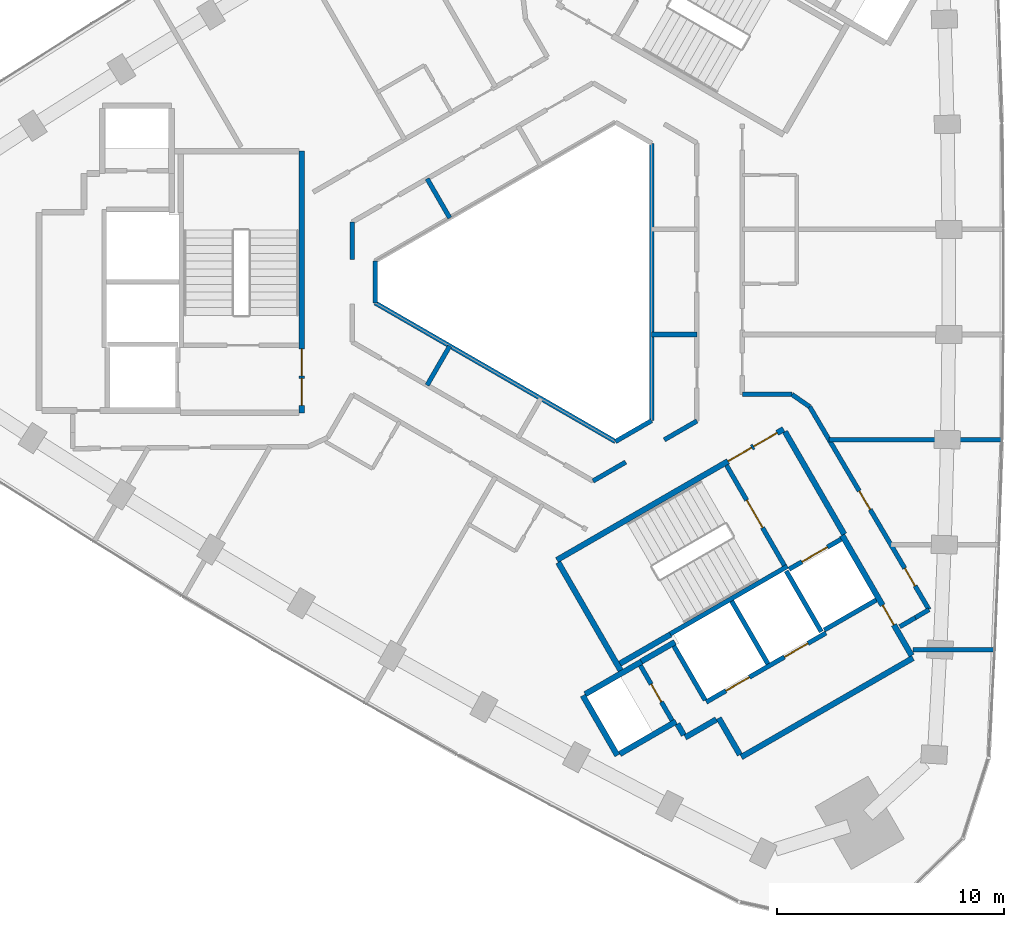
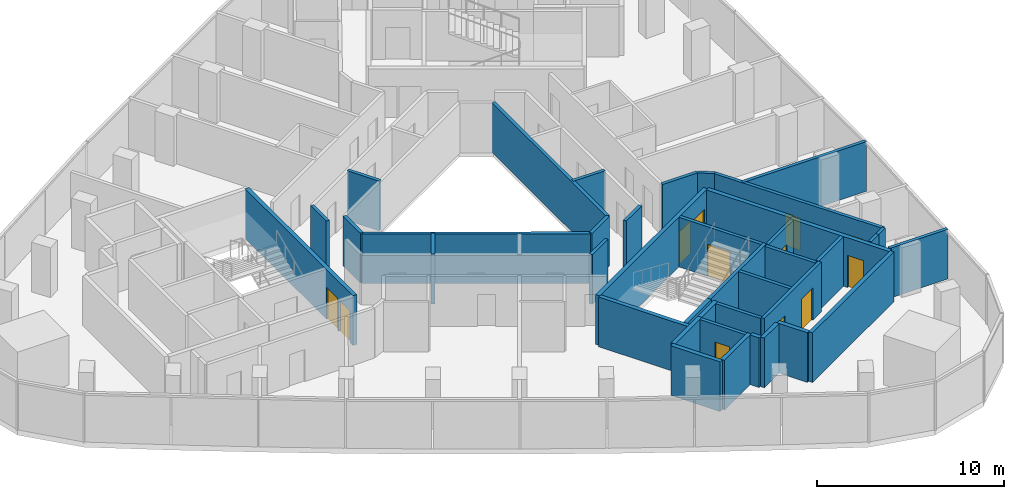
# One storey, part 8 of 12: 40 walls, 12 doors, 12 openings.
"""IFC4 building model written with IfcOpenShell, lengths in metres."""

from ifc_helpers import new_model, si_unit, direction, frame, frame_2d, origin, place, context, subcontext, project, spatial, rectangle, extrude, material, layer, layer_set, type_object, element, fill, save


model = new_model("IFC4")

# Units and contexts
model_context = context("Model", 3, precision=1e-05, world=origin(), true_north=direction((0.0, 1.0)))
body_context = subcontext(model_context, "Body", "Model", "MODEL_VIEW")
ifc_project = project(units=[si_unit("LENGTHUNIT", "METRE"), si_unit("AREAUNIT", "SQUARE_METRE"), si_unit("VOLUMEUNIT", "CUBIC_METRE"), si_unit("PLANEANGLEUNIT", "RADIAN"), si_unit("MASSUNIT", "GRAM", prefix="KILO")], contexts=[model_context])

# Site, building, storey
site_placement = place(None, origin())
site = spatial("IfcSite", under=ifc_project, at=site_placement, CompositionType="ELEMENT")
building_placement = place(site_placement, origin())
building = spatial("IfcBuilding", under=site, at=building_placement, Name="Tamra Quay Hotel Tower", CompositionType="ELEMENT")
storey_placement = place(building_placement, frame((0.0, 0.0, 200.800048828125)))
storey = spatial("IfcBuildingStorey", under=building, at=storey_placement, Name="L50", CompositionType="ELEMENT", Elevation=200.800048828125)

# Wall
ifc_material_1 = material(Name="Concrete M70", Category="concrete")
ifc_layer_1 = layer(ifc_material_1, 0.199951171875)
ifc_layer_set_1 = layer_set([ifc_layer_1], Name="Concrete M70 core wall 200")
wall_type_1 = type_object("IfcWallType", Name="Concrete M70 core wall 200", PredefinedType="SHEAR", material=ifc_layer_set_1)
wall_1_placement = place(storey_placement, frame((5.4189453125, -15.533935546875, 0.0), z_axis=(0.0, 0.0, 1.0), x_axis=(0.866029065029, 0.499993658486, 0.0)))
element("IfcWall", 1, at=wall_1_placement, inside=storey, type_object=wall_type_1, Name="CW2", PredefinedType="SHEAR", context=body_context, shape_type="SweptSolid", body=[
    extrude(rectangle(XDim=5.97412109375, YDim=0.199951171875, at=frame_2d((2.987060546875, 0.0))), origin(), (0.0, 0.0, 1.0), 3.25),
])

# Wall, openings, doors
wall_2_placement = place(storey_placement, frame((7.009765625, -18.54150390625, 0.0), z_axis=(0.0, 0.0, 1.0), x_axis=(0.866030299012, 0.499991521122, 0.0)))
wall_2 = element("IfcWall", 2, at=wall_2_placement, inside=storey, type_object=wall_type_1, Name="CW2", PredefinedType="SHEAR", context=body_context, shape_type="SweptSolid", body=[
    extrude(rectangle(XDim=6.10009765625, YDim=0.199951171875, at=frame_2d((3.050048828125, 0.0))), origin(), (0.0, 0.0, 1.0), 3.25),
])
opening_1_placement = place(wall_2_placement, frame((1.0, 0.0, 0.0)))
opening_1 = element("IfcOpeningElement", 3, at=opening_1_placement, cuts=wall_2, Name="Opening LD", PredefinedType="OPENING", context=body_context, shape_type="SweptSolid", body=[
    extrude(rectangle(XDim=1.199951171875, YDim=2.10009765625, at=frame_2d((0.60009765625, 1.050048828125))), frame((0.0, 0.10986328125, 0.0), z_axis=(0.0, -1.0, 0.0), x_axis=(1.0, 0.0, 0.0)), (0.0, 0.0, 1.0), 0.219970703125),
])
opening_2_placement = place(wall_2_placement, frame((3.982177734375, 0.0, 0.0)))
opening_2 = element("IfcOpeningElement", 4, at=opening_2_placement, cuts=wall_2, Name="Opening LD", PredefinedType="OPENING", context=body_context, shape_type="SweptSolid", body=[
    extrude(rectangle(XDim=1.199951171875, YDim=2.10009765625, at=frame_2d((0.60009765625, 1.050048828125))), frame((0.0, 0.10986328125, 0.0), z_axis=(0.0, -1.0, 0.0), x_axis=(1.0, 0.0, 0.0)), (0.0, 0.0, 1.0), 0.219970703125),
])
ifc_material_2 = material(Name="Landing door LD 1200 double door sliding")
door_type_1 = type_object("IfcDoorType", Name="Landing door LD 1200 double door sliding", OperationType="DOUBLE_DOOR_SLIDING", PredefinedType="DOOR", material=ifc_material_2)
door_1_placement = place(opening_1_placement, origin())
door_1 = element("IfcDoor", 5, at=door_1_placement, inside=storey, type_object=door_type_1, Name="LD", OperationType="DOUBLE_DOOR_SLIDING", OverallHeight=2.10009765625, OverallWidth=1.199951171875, PredefinedType="DOOR", context=body_context, shape_type="SweptSolid", body=[
    extrude(rectangle(XDim=1.199951171875, YDim=2.10009765625, at=frame_2d((0.60009765625, 1.050048828125))), frame((0.0, 0.02490234375, 0.0), z_axis=(0.0, -1.0, 0.0), x_axis=(1.0, 0.0, 0.0)), (0.0, 0.0, 1.0), 0.050048828125),
])
fill(opening_1, door_1)
door_2_placement = place(opening_2_placement, origin())
door_2 = element("IfcDoor", 6, at=door_2_placement, inside=storey, type_object=door_type_1, Name="LD", OperationType="DOUBLE_DOOR_SLIDING", OverallHeight=2.10009765625, OverallWidth=1.199951171875, PredefinedType="DOOR", context=body_context, shape_type="SweptSolid", body=[
    extrude(rectangle(XDim=1.199951171875, YDim=2.10009765625, at=frame_2d((0.60009765625, 1.050048828125))), frame((0.0, 0.02490234375, 0.0), z_axis=(0.0, -1.0, 0.0), x_axis=(1.0, 0.0, 0.0)), (0.0, 0.0, 1.0), 0.050048828125),
])
fill(opening_2, door_2)

# Wall, opening, door
wall_3_placement = place(storey_placement, frame((7.906494140625, -8.094482421875, 0.0), z_axis=(0.0, 0.0, 1.0), x_axis=(0.500027839223, -0.866009330205, 0.0)))
wall_3 = element("IfcWall", 7, at=wall_3_placement, inside=storey, type_object=wall_type_1, Name="CW2", PredefinedType="SHEAR", context=body_context, shape_type="SweptSolid", body=[
    extrude(rectangle(XDim=5.097900390625, YDim=0.199951171875, at=frame_2d((2.548828125, 0.0))), origin(), (0.0, 0.0, 1.0), 3.25),
])
opening_3_placement = place(wall_3_placement, frame((1.77392578125, 0.0, 0.0)))
opening_3 = element("IfcOpeningElement", 8, at=opening_3_placement, cuts=wall_3, Name="Opening FD2", PredefinedType="OPENING", context=body_context, shape_type="SweptSolid", body=[
    extrude(rectangle(XDim=1.39990234375, YDim=2.10009765625, at=frame_2d((0.699951171875, 1.050048828125))), frame((0.0, 0.10986328125, 0.0), z_axis=(0.0, -1.0, 0.0), x_axis=(1.0, 0.0, 0.0)), (0.0, 0.0, 1.0), 0.219970703125),
])
ifc_material_3 = material(Name="Core door FD2 1400x2100 LH")
door_type_2 = type_object("IfcDoorType", Name="Core door FD2 1400x2100 LH", OperationType="NOTDEFINED", PredefinedType="DOOR", material=ifc_material_3)
door_3_placement = place(opening_3_placement, origin())
door_3 = element("IfcDoor", 9, at=door_3_placement, inside=storey, type_object=door_type_2, Name="FD2", OperationType="SINGLE_SWING_LEFT", OverallHeight=2.10009765625, OverallWidth=1.39990234375, PredefinedType="DOOR", context=body_context, shape_type="SweptSolid", body=[
    extrude(rectangle(XDim=1.39990234375, YDim=2.10009765625, at=frame_2d((0.699951171875, 1.050048828125))), frame((0.0, 0.02490234375, 0.0), z_axis=(0.0, -1.0, 0.0), x_axis=(1.0, 0.0, 0.0)), (0.0, 0.0, 1.0), 0.050048828125),
])
fill(opening_3, door_3)

# Wall
wall_4_placement = place(storey_placement, frame((8.131591796875, -14.084228515625, 0.0), z_axis=(0.0, 0.0, 1.0), x_axis=(0.499997778408, -0.866026686418, 0.0)))
element("IfcWall", 10, at=wall_4_placement, inside=storey, type_object=wall_type_1, Name="CW2", PredefinedType="SHEAR", context=body_context, shape_type="SweptSolid", body=[
    extrude(rectangle(XDim=3.1982421875, YDim=0.199951171875, at=frame_2d((1.59912109375, 0.0))), origin(), (0.0, 0.0, 1.0), 3.25),
])

# Wall, opening, door
wall_5_placement = place(storey_placement, frame((5.50341796875, -19.352294921875, 0.0), z_axis=(0.0, 0.0, 1.0), x_axis=(-0.499986818241, 0.866033014143, 0.0)))
wall_5 = element("IfcWall", 11, at=wall_5_placement, inside=storey, type_object=wall_type_1, Name="CW2", PredefinedType="SHEAR", context=body_context, shape_type="SweptSolid", body=[
    extrude(rectangle(XDim=2.7978515625, YDim=0.199951171875, at=frame_2d((1.39892578125, 0.0))), origin(), (0.0, 0.0, 1.0), 3.25),
])
opening_4_placement = place(wall_5_placement, frame((0.948974609375, 0.0, 0.0)))
opening_4 = element("IfcOpeningElement", 12, at=opening_4_placement, cuts=wall_5, Name="Opening D1", PredefinedType="OPENING", context=body_context, shape_type="SweptSolid", body=[
    extrude(rectangle(XDim=0.89990234375, YDim=2.10009765625, at=frame_2d((0.449951171875, 1.050048828125))), frame((0.0, 0.10986328125, 0.0), z_axis=(0.0, -1.0, 0.0), x_axis=(1.0, 0.0, 0.0)), (0.0, 0.0, 1.0), 0.219970703125),
])
ifc_material_4 = material(Name="Core door D1 900x2100 RH")
door_type_3 = type_object("IfcDoorType", Name="Core door D1 900x2100 RH", OperationType="NOTDEFINED", PredefinedType="DOOR", material=ifc_material_4)
door_4_placement = place(opening_4_placement, origin())
door_4 = element("IfcDoor", 13, at=door_4_placement, inside=storey, type_object=door_type_3, Name="D1", OperationType="SINGLE_SWING_RIGHT", OverallHeight=2.10009765625, OverallWidth=0.89990234375, PredefinedType="DOOR", context=body_context, shape_type="SweptSolid", body=[
    extrude(rectangle(XDim=0.89990234375, YDim=2.10009765625, at=frame_2d((0.449951171875, 1.050048828125))), frame((0.0, 0.02490234375, 0.0), z_axis=(0.0, -1.0, 0.0), x_axis=(1.0, 0.0, 0.0)), (0.0, 0.0, 1.0), 0.050048828125),
])
fill(opening_4, door_4)

# Walls
wall_6_placement = place(storey_placement, frame((6.959716796875, -18.455078125, 0.0), z_axis=(0.0, 0.0, 1.0), x_axis=(-0.499926705758, 0.866067716099, 0.0)))
element("IfcWall", 14, at=wall_6_placement, inside=storey, type_object=wall_type_1, Name="CW2", PredefinedType="SHEAR", context=body_context, shape_type="SweptSolid", body=[
    extrude(rectangle(XDim=2.75927734375, YDim=0.199951171875, at=frame_2d((1.379638671875, 0.0))), origin(), (0.0, 0.0, 1.0), 3.25),
])
wall_7_placement = place(storey_placement, frame((12.087646484375, -15.4365234375, 0.0), z_axis=(0.0, 0.0, 1.0), x_axis=(-0.500026960575, 0.86600983753, 0.0)))
element("IfcWall", 15, at=wall_7_placement, inside=storey, type_object=wall_type_1, Name="CW2", PredefinedType="SHEAR", context=body_context, shape_type="SweptSolid", body=[
    extrude(rectangle(XDim=3.099853515625, YDim=0.199951171875, at=frame_2d((1.5498046875, 0.0))), origin(), (0.0, 0.0, 1.0), 3.25),
])

# Wall, opening, door
wall_8_placement = place(storey_placement, frame((10.666015625, -12.677734375, 0.0), z_axis=(0.0, 0.0, 1.0), x_axis=(0.866018407898, 0.500012117035, 0.0)))
wall_8 = element("IfcWall", 16, at=wall_8_placement, inside=storey, type_object=wall_type_1, Name="CW2", PredefinedType="SHEAR", context=body_context, shape_type="SweptSolid", body=[
    extrude(rectangle(XDim=2.65087890625, YDim=0.199951171875, at=frame_2d((1.325439453125, 0.0))), origin(), (0.0, 0.0, 1.0), 3.25),
])
opening_5_placement = place(wall_8_placement, frame((0.65185546875, 0.0, 0.0)))
opening_5 = element("IfcOpeningElement", 17, at=opening_5_placement, cuts=wall_8, Name="Opening LD", PredefinedType="OPENING", context=body_context, shape_type="SweptSolid", body=[
    extrude(rectangle(XDim=1.300048828125, YDim=2.10009765625, at=frame_2d((0.64990234375, 1.050048828125))), frame((0.0, 0.10986328125, 0.0), z_axis=(0.0, -1.0, 0.0), x_axis=(1.0, 0.0, 0.0)), (0.0, 0.0, 1.0), 0.219970703125),
])
ifc_material_5 = material(Name="Landing door LD 1300 sliding to left")
door_type_4 = type_object("IfcDoorType", Name="Landing door LD 1300 sliding to left", OperationType="NOTDEFINED", PredefinedType="DOOR", material=ifc_material_5)
door_5_placement = place(opening_5_placement, origin())
door_5 = element("IfcDoor", 18, at=door_5_placement, inside=storey, type_object=door_type_4, Name="LD", OperationType="SLIDING_TO_LEFT", OverallHeight=2.10009765625, OverallWidth=1.300048828125, PredefinedType="DOOR", context=body_context, shape_type="SweptSolid", body=[
    extrude(rectangle(XDim=1.300048828125, YDim=2.10009765625, at=frame_2d((0.64990234375, 1.050048828125))), frame((0.0, 0.02490234375, 0.0), z_axis=(0.0, -1.0, 0.0), x_axis=(1.0, 0.0, 0.0)), (0.0, 0.0, 1.0), 0.050048828125),
])
fill(opening_5, door_5)

# Wall
wall_9_placement = place(storey_placement, frame((14.51171875, -14.037109375, 0.0), z_axis=(0.0, 0.0, 1.0), x_axis=(-0.866018407898, -0.500012117035, 0.0)))
element("IfcWall", 19, at=wall_9_placement, inside=storey, type_object=wall_type_1, Name="CW2", PredefinedType="SHEAR", context=body_context, shape_type="SweptSolid", body=[
    extrude(rectangle(XDim=2.65087890625, YDim=0.199951171875, at=frame_2d((1.325439453125, 0.0))), origin(), (0.0, 0.0, 1.0), 3.25),
])

# Wall, openings, doors
ifc_layer_2 = layer(ifc_material_1, 0.25)
ifc_layer_set_2 = layer_set([ifc_layer_2], Name="Concrete M70 core wall 250")
wall_type_2 = type_object("IfcWallType", Name="Concrete M70 core wall 250", PredefinedType="SHEAR", material=ifc_layer_set_2)
wall_10_placement = place(storey_placement, frame((-10.83740234375, 5.77490234375, 0.0), z_axis=(0.0, 0.0, 1.0), x_axis=(0.0, -1.0, 0.0)))
wall_10 = element("IfcWall", 20, at=wall_10_placement, inside=storey, type_object=wall_type_2, Name="CW1", PredefinedType="SHEAR", context=body_context, shape_type="SweptSolid", body=[
    extrude(rectangle(XDim=11.5498046875, YDim=0.25, at=frame_2d((5.77490234375, 0.0))), origin(), (0.0, 0.0, 1.0), 3.25),
])
opening_6_placement = place(wall_10_placement, frame((10.02490234375, 0.0, 0.0)))
opening_6 = element("IfcOpeningElement", 21, at=opening_6_placement, cuts=wall_10, Name="Opening FD1", PredefinedType="OPENING", context=body_context, shape_type="SweptSolid", body=[
    extrude(rectangle(XDim=1.199951171875, YDim=2.10009765625, at=frame_2d((0.60009765625, 1.050048828125))), frame((0.0, 0.135009765625, 0.0), z_axis=(0.0, -1.0, 0.0), x_axis=(1.0, 0.0, 0.0)), (0.0, 0.0, 1.0), 0.27001953125),
])
opening_7_placement = place(wall_10_placement, frame((8.72509765625, 0.0, 0.0)))
opening_7 = element("IfcOpeningElement", 22, at=opening_7_placement, cuts=wall_10, Name="Opening FD1", PredefinedType="OPENING", context=body_context, shape_type="SweptSolid", body=[
    extrude(rectangle(XDim=1.199951171875, YDim=2.10009765625, at=frame_2d((0.60009765625, 1.050048828125))), frame((0.0, 0.135009765625, 0.0), z_axis=(0.0, -1.0, 0.0), x_axis=(1.0, 0.0, 0.0)), (0.0, 0.0, 1.0), 0.27001953125),
])
ifc_material_6 = material(Name="Core door FD1 1200x2100 LH")
door_type_5 = type_object("IfcDoorType", Name="Core door FD1 1200x2100 LH", OperationType="NOTDEFINED", PredefinedType="DOOR", material=ifc_material_6)
door_6_placement = place(opening_6_placement, origin())
door_6 = element("IfcDoor", 23, at=door_6_placement, inside=storey, type_object=door_type_5, Name="FD1", OperationType="SINGLE_SWING_LEFT", OverallHeight=2.10009765625, OverallWidth=1.199951171875, PredefinedType="DOOR", context=body_context, shape_type="SweptSolid", body=[
    extrude(rectangle(XDim=1.199951171875, YDim=2.10009765625, at=frame_2d((0.60009765625, 1.050048828125))), frame((0.0, 0.02490234375, 0.0), z_axis=(0.0, -1.0, 0.0), x_axis=(1.0, 0.0, 0.0)), (0.0, 0.0, 1.0), 0.050048828125),
])
fill(opening_6, door_6)
ifc_material_7 = material(Name="Core door FD1 1200x2100 RH")
door_type_6 = type_object("IfcDoorType", Name="Core door FD1 1200x2100 RH", OperationType="NOTDEFINED", PredefinedType="DOOR", material=ifc_material_7)
door_7_placement = place(opening_7_placement, origin())
door_7 = element("IfcDoor", 24, at=door_7_placement, inside=storey, type_object=door_type_6, Name="FD1", OperationType="SINGLE_SWING_RIGHT", OverallHeight=2.10009765625, OverallWidth=1.199951171875, PredefinedType="DOOR", context=body_context, shape_type="SweptSolid", body=[
    extrude(rectangle(XDim=1.199951171875, YDim=2.10009765625, at=frame_2d((0.60009765625, 1.050048828125))), frame((0.0, 0.02490234375, 0.0), z_axis=(0.0, -1.0, 0.0), x_axis=(1.0, 0.0, 0.0)), (0.0, 0.0, 1.0), 0.050048828125),
])
fill(opening_7, door_7)

wall_11_placement = place(storey_placement, frame((0.417236328125, -12.27294921875, 0.0), z_axis=(0.0, 0.0, 1.0), x_axis=(0.866021906294, 0.500006057782, 0.0)))
wall_11 = element("IfcWall", 25, at=wall_11_placement, inside=storey, type_object=wall_type_2, Name="CW1", PredefinedType="SHEAR", context=body_context, shape_type="SweptSolid", body=[
    extrude(rectangle(XDim=11.550048828125, YDim=0.25, at=frame_2d((5.77490234375, 0.0))), origin(), (0.0, 0.0, 1.0), 3.25),
])
opening_8_placement = place(wall_11_placement, frame((10.024658203125, 0.0, 0.0)))
opening_8 = element("IfcOpeningElement", 26, at=opening_8_placement, cuts=wall_11, Name="Opening FD1", PredefinedType="OPENING", context=body_context, shape_type="SweptSolid", body=[
    extrude(rectangle(XDim=1.199951171875, YDim=2.10009765625, at=frame_2d((0.60009765625, 1.050048828125))), frame((0.0, 0.135009765625, 0.0), z_axis=(0.0, -1.0, 0.0), x_axis=(1.0, 0.0, 0.0)), (0.0, 0.0, 1.0), 0.27001953125),
])
opening_9_placement = place(wall_11_placement, frame((8.724609375, 0.0, 0.0)))
opening_9 = element("IfcOpeningElement", 27, at=opening_9_placement, cuts=wall_11, Name="Opening FD1", PredefinedType="OPENING", context=body_context, shape_type="SweptSolid", body=[
    extrude(rectangle(XDim=1.199951171875, YDim=2.10009765625, at=frame_2d((0.60009765625, 1.050048828125))), frame((0.0, 0.135009765625, 0.0), z_axis=(0.0, -1.0, 0.0), x_axis=(1.0, 0.0, 0.0)), (0.0, 0.0, 1.0), 0.27001953125),
])
door_8_placement = place(opening_8_placement, origin())
door_8 = element("IfcDoor", 28, at=door_8_placement, inside=storey, type_object=door_type_5, Name="FD1", OperationType="SINGLE_SWING_LEFT", OverallHeight=2.10009765625, OverallWidth=1.199951171875, PredefinedType="DOOR", context=body_context, shape_type="SweptSolid", body=[
    extrude(rectangle(XDim=1.199951171875, YDim=2.10009765625, at=frame_2d((0.60009765625, 1.050048828125))), frame((0.0, 0.02490234375, 0.0), z_axis=(0.0, -1.0, 0.0), x_axis=(1.0, 0.0, 0.0)), (0.0, 0.0, 1.0), 0.050048828125),
])
fill(opening_8, door_8)
door_9_placement = place(opening_9_placement, origin())
door_9 = element("IfcDoor", 29, at=door_9_placement, inside=storey, type_object=door_type_6, Name="FD1", OperationType="SINGLE_SWING_RIGHT", OverallHeight=2.10009765625, OverallWidth=1.199951171875, PredefinedType="DOOR", context=body_context, shape_type="SweptSolid", body=[
    extrude(rectangle(XDim=1.199951171875, YDim=2.10009765625, at=frame_2d((0.60009765625, 1.050048828125))), frame((0.0, 0.02490234375, 0.0), z_axis=(0.0, -1.0, 0.0), x_axis=(1.0, 0.0, 0.0)), (0.0, 0.0, 1.0), 0.050048828125),
])
fill(opening_9, door_9)

# Wall
wall_12_placement = place(storey_placement, frame((16.13330078125, -16.59375, 0.0), z_axis=(0.0, 0.0, 1.0), x_axis=(-0.866022959057, -0.500004234368, 0.0)))
element("IfcWall", 30, at=wall_12_placement, inside=storey, type_object=wall_type_2, Name="CW1", PredefinedType="SHEAR", context=body_context, shape_type="SweptSolid", body=[
    extrude(rectangle(XDim=8.75, YDim=0.25, at=frame_2d((4.375, 0.0))), origin(), (0.0, 0.0, 1.0), 3.25),
])

# Wall, opening, door
wall_13_placement = place(storey_placement, frame((13.00830078125, -11.18115234375, 0.0), z_axis=(0.0, 0.0, 1.0), x_axis=(0.500001955336, -0.866024274868, 0.0)))
wall_13 = element("IfcWall", 31, at=wall_13_placement, inside=storey, type_object=wall_type_2, Name="CW1", PredefinedType="SHEAR", context=body_context, shape_type="SweptSolid", body=[
    extrude(rectangle(XDim=6.12451171875, YDim=0.25, at=frame_2d((3.062255859375, 0.0))), origin(), (0.0, 0.0, 1.0), 3.25),
])
opening_10_placement = place(wall_13_placement, frame((3.562744140625, 0.0, 0.0)))
opening_10 = element("IfcOpeningElement", 32, at=opening_10_placement, cuts=wall_13, Name="Opening FD3", PredefinedType="OPENING", context=body_context, shape_type="SweptSolid", body=[
    extrude(rectangle(XDim=1.0, YDim=2.10009765625, at=frame_2d((0.5, 1.050048828125))), frame((0.0, 0.135009765625, 0.0), z_axis=(0.0, -1.0, 0.0), x_axis=(1.0, 0.0, 0.0)), (0.0, 0.0, 1.0), 0.27001953125),
])
ifc_material_8 = material(Name="Core door FD3 1000x2100 LH")
door_type_7 = type_object("IfcDoorType", Name="Core door FD3 1000x2100 LH", OperationType="NOTDEFINED", PredefinedType="DOOR", material=ifc_material_8)
door_10_placement = place(opening_10_placement, origin())
door_10 = element("IfcDoor", 33, at=door_10_placement, inside=storey, type_object=door_type_7, Name="FD3", OperationType="SINGLE_SWING_LEFT", OverallHeight=2.10009765625, OverallWidth=1.0, PredefinedType="DOOR", context=body_context, shape_type="SweptSolid", body=[
    extrude(rectangle(XDim=1.0, YDim=2.10009765625, at=frame_2d((0.5, 1.050048828125))), frame((0.0, 0.02490234375, 0.0), z_axis=(0.0, -1.0, 0.0), x_axis=(1.0, 0.0, 0.0)), (0.0, 0.0, 1.0), 0.050048828125),
])
fill(opening_10, door_10)

# Walls
wall_14_placement = place(storey_placement, frame((3.23486328125, -17.15283203125, 0.0), z_axis=(0.0, 0.0, 1.0), x_axis=(-0.500008851346, 0.866020293397, 0.0)))
element("IfcWall", 34, at=wall_14_placement, inside=storey, type_object=wall_type_2, Name="CW1", PredefinedType="SHEAR", context=body_context, shape_type="SweptSolid", body=[
    extrude(rectangle(XDim=5.509765625, YDim=0.25, at=frame_2d((2.7548828125, 0.0))), origin(), (0.0, 0.0, 1.0), 3.25),
])
wall_15_placement = place(storey_placement, frame((10.482666015625, -6.6064453125, 0.0), z_axis=(0.0, 0.0, 1.0), x_axis=(0.49999885962, -0.866026062182, 0.0)))
element("IfcWall", 35, at=wall_15_placement, inside=storey, type_object=wall_type_2, Name="CW1", PredefinedType="SHEAR", context=body_context, shape_type="SweptSolid", body=[
    extrude(rectangle(XDim=5.224609375, YDim=0.25, at=frame_2d((2.6123046875, 0.0))), origin(), (0.0, 0.0, 1.0), 3.25),
])
wall_16_placement = place(storey_placement, frame((3.085205078125, -20.893798828125, 0.0), z_axis=(0.0, 0.0, 1.0), x_axis=(-0.499978833458, 0.866037623948, 0.0)))
element("IfcWall", 36, at=wall_16_placement, inside=storey, type_object=wall_type_2, Name="CW1", PredefinedType="SHEAR", context=body_context, shape_type="SweptSolid", body=[
    extrude(rectangle(XDim=3.050048828125, YDim=0.25, at=frame_2d((1.52490234375, 0.0))), origin(), (0.0, 0.0, 1.0), 3.25),
])
wall_17_placement = place(storey_placement, frame((1.6689453125, -18.189697265625, 0.0), z_axis=(0.0, 0.0, 1.0), x_axis=(0.866042235819, 0.499970844928, 0.0)))
element("IfcWall", 37, at=wall_17_placement, inside=storey, type_object=wall_type_2, Name="CW1", PredefinedType="SHEAR", context=body_context, shape_type="SweptSolid", body=[
    extrude(rectangle(XDim=2.864501953125, YDim=0.25, at=frame_2d((1.43212890625, 0.0))), origin(), (0.0, 0.0, 1.0), 3.25),
])
wall_18_placement = place(storey_placement, frame((5.6748046875, -19.39892578125, 0.0), z_axis=(0.0, 0.0, 1.0), x_axis=(-0.866026637627, -0.499997862916, 0.0)))
element("IfcWall", 38, at=wall_18_placement, inside=storey, type_object=wall_type_2, Name="CW1", PredefinedType="SHEAR", context=body_context, shape_type="SweptSolid", body=[
    extrude(rectangle(XDim=2.86474609375, YDim=0.25, at=frame_2d((1.432373046875, 0.0))), origin(), (0.0, 0.0, 1.0), 3.25),
])
wall_19_placement = place(storey_placement, frame((5.4306640625, -15.55615234375, 0.0), z_axis=(0.0, 0.0, 1.0), x_axis=(-0.866022940537, -0.500004266446, 0.0)))
element("IfcWall", 39, at=wall_19_placement, inside=storey, type_object=wall_type_2, Name="CW1", PredefinedType="SHEAR", context=body_context, shape_type="SweptSolid", body=[
    extrude(rectangle(XDim=2.57470703125, YDim=0.25, at=frame_2d((1.287353515625, 0.0))), origin(), (0.0, 0.0, 1.0), 3.25),
])
wall_20_placement = place(storey_placement, frame((8.492919921875, -20.860107421875, 0.0), z_axis=(0.0, 0.0, 1.0), x_axis=(-0.500039802285, 0.866002422705, 0.0)))
element("IfcWall", 40, at=wall_20_placement, inside=storey, type_object=wall_type_2, Name="CW1", PredefinedType="SHEAR", context=body_context, shape_type="SweptSolid", body=[
    extrude(rectangle(XDim=1.864501953125, YDim=0.25, at=frame_2d((0.93212890625, 0.0))), origin(), (0.0, 0.0, 1.0), 3.25),
])
wall_21_placement = place(storey_placement, frame((4.144775390625, -16.748779296875, 0.0), z_axis=(0.0, 0.0, 1.0), x_axis=(0.866038183914, 0.499977863513, 0.0)))
element("IfcWall", 41, at=wall_21_placement, inside=storey, type_object=wall_type_2, Name="CW1", PredefinedType="SHEAR", context=body_context, shape_type="SweptSolid", body=[
    extrude(rectangle(XDim=1.7099609375, YDim=0.25, at=frame_2d((0.85498046875, 0.0))), origin(), (0.0, 0.0, 1.0), 3.25),
])
wall_22_placement = place(storey_placement, frame((7.451904296875, -19.30810546875, 0.0), z_axis=(0.0, 0.0, 1.0), x_axis=(-0.866044474677, -0.49996696679, 0.0)))
element("IfcWall", 42, at=wall_22_placement, inside=storey, type_object=wall_type_2, Name="CW1", PredefinedType="SHEAR", context=body_context, shape_type="SweptSolid", body=[
    extrude(rectangle(XDim=1.58447265625, YDim=0.25, at=frame_2d((0.792236328125, 0.0))), origin(), (0.0, 0.0, 1.0), 3.25),
])
wall_23_placement = place(storey_placement, frame((6.01708984375, -19.99169921875, 0.0), z_axis=(0.0, 0.0, 1.0), x_axis=(-0.500364886717, 0.865814633822, 0.0)))
element("IfcWall", 43, at=wall_23_placement, inside=storey, type_object=wall_type_2, Name="CW1", PredefinedType="SHEAR", context=body_context, shape_type="SweptSolid", body=[
    extrude(rectangle(XDim=0.55908203125, YDim=0.25, at=frame_2d((0.279541015625, 0.0))), origin(), (0.0, 0.0, 1.0), 3.25),
])
ifc_material_9 = material(Name="Partition corridor wall")
ifc_layer_3 = layer(ifc_material_9, 0.199951171875)
ifc_layer_set_3 = layer_set([ifc_layer_3], Name="Partition corridor wall")
wall_type_3 = type_object("IfcWallType", Name="Partition corridor wall", PredefinedType="PARTITIONING", material=ifc_layer_set_3)
wall_24_placement = place(storey_placement, frame((-8.612060546875, 0.98193359375, 0.0), z_axis=(0.0, 0.0, 1.0), x_axis=(0.0, 1.0, 0.0)))
element("IfcWall", 44, at=wall_24_placement, inside=storey, type_object=wall_type_3, Name="W-C", PredefinedType="PARTITIONING", context=body_context, shape_type="SweptSolid", body=[
    extrude(rectangle(XDim=1.6669921875, YDim=0.199951171875, at=frame_2d((0.83349609375, 0.0))), origin(), (0.0, 0.0, 1.0), 3.25),
])
wall_25_placement = place(storey_placement, frame((2.012451171875, -8.78369140625, 0.0), z_axis=(0.0, 0.0, 1.0), x_axis=(0.865934186891, 0.500157959022, 0.0)))
element("IfcWall", 45, at=wall_25_placement, inside=storey, type_object=wall_type_3, Name="W-C", PredefinedType="PARTITIONING", context=body_context, shape_type="SweptSolid", body=[
    extrude(rectangle(XDim=1.666015625, YDim=0.199951171875, at=frame_2d((0.8330078125, 0.0))), origin(), (0.0, 0.0, 1.0), 3.25),
])
wall_26_placement = place(storey_placement, frame((5.156005859375, -6.968017578125, 0.0), z_axis=(0.0, 0.0, 1.0), x_axis=(0.865963705197, 0.500106849865, 0.0)))
element("IfcWall", 46, at=wall_26_placement, inside=storey, type_object=wall_type_3, Name="W-C", PredefinedType="PARTITIONING", context=body_context, shape_type="SweptSolid", body=[
    extrude(rectangle(XDim=1.667724609375, YDim=0.199951171875, at=frame_2d((0.833984375, 0.0))), origin(), (0.0, 0.0, 1.0), 3.25),
])
wall_27_placement = place(storey_placement, frame((8.60009765625, -4.966064453125, 0.0), z_axis=(0.0, 0.0, 1.0), x_axis=(1.0, 0.0, 0.0)))
element("IfcWall", 47, at=wall_27_placement, inside=storey, type_object=wall_type_3, Name="W-C", PredefinedType="PARTITIONING", context=body_context, shape_type="SweptSolid", body=[
    extrude(rectangle(XDim=2.19287109375, YDim=0.199951171875, at=frame_2d((1.096435546875, 0.0))), origin(), (0.0, 0.0, 1.0), 3.25),
])
wall_28_placement = place(storey_placement, frame((10.7939453125, -4.966064453125, 0.0), z_axis=(0.0, 0.0, 1.0), x_axis=(0.822266583859, -0.569102508401, 0.0)))
element("IfcWall", 48, at=wall_28_placement, inside=storey, type_object=wall_type_3, Name="W-C", PredefinedType="PARTITIONING", context=body_context, shape_type="SweptSolid", body=[
    extrude(rectangle(XDim=0.945068359375, YDim=0.199951171875, at=frame_2d((0.47265625, 0.0))), origin(), (0.0, 0.0, 1.0), 3.25),
])

# Wall, openings, doors
wall_29_placement = place(storey_placement, frame((11.572509765625, -5.504150390625, 0.0), z_axis=(0.0, 0.0, 1.0), x_axis=(0.507120747865, -0.861875018251, 0.0)))
wall_29 = element("IfcWall", 49, at=wall_29_placement, inside=storey, type_object=wall_type_3, Name="W-C", PredefinedType="PARTITIONING", context=body_context, shape_type="SweptSolid", body=[
    extrude(rectangle(XDim=10.39111328125, YDim=0.199951171875, at=frame_2d((5.195556640625, 0.0))), origin(), (0.0, 0.0, 1.0), 3.25),
])
opening_11_placement = place(wall_29_placement, frame((8.27099609375, 0.0, 0.0)))
opening_11 = element("IfcOpeningElement", 50, at=opening_11_placement, cuts=wall_29, Name="Opening L50-D001", PredefinedType="OPENING", context=body_context, shape_type="SweptSolid", body=[
    extrude(rectangle(XDim=0.89990234375, YDim=2.10009765625, at=frame_2d((0.449951171875, 1.050048828125))), frame((0.0, 0.10986328125, 0.0), z_axis=(0.0, -1.0, 0.0), x_axis=(1.0, 0.0, 0.0)), (0.0, 0.0, 1.0), 0.219970703125),
])
opening_12_placement = place(wall_29_placement, frame((4.321044921875, 0.0, 0.0)))
opening_12 = element("IfcOpeningElement", 51, at=opening_12_placement, cuts=wall_29, Name="Opening L50-D002", PredefinedType="OPENING", context=body_context, shape_type="SweptSolid", body=[
    extrude(rectangle(XDim=0.949951171875, YDim=2.10009765625, at=frame_2d((0.47509765625, 1.050048828125))), frame((0.0, 0.10986328125, 0.0), z_axis=(0.0, -1.0, 0.0), x_axis=(1.0, 0.0, 0.0)), (0.0, 0.0, 1.0), 0.219970703125),
])
ifc_material_10 = material(Name="Door guest room 950x2100")
door_type_8 = type_object("IfcDoorType", Name="Door guest room 950x2100", OperationType="NOTDEFINED", PredefinedType="DOOR", material=ifc_material_10)
door_11_placement = place(opening_12_placement, origin())
door_11 = element("IfcDoor", 52, at=door_11_placement, inside=storey, type_object=door_type_8, Name="L50-D002", OperationType="SINGLE_SWING_LEFT", OverallHeight=2.10009765625, OverallWidth=0.949951171875, PredefinedType="DOOR", context=body_context, shape_type="SweptSolid", body=[
    extrude(rectangle(XDim=0.949951171875, YDim=2.10009765625, at=frame_2d((0.47509765625, 1.050048828125))), frame((0.0, 0.02490234375, 0.0), z_axis=(0.0, -1.0, 0.0), x_axis=(1.0, 0.0, 0.0)), (0.0, 0.0, 1.0), 0.050048828125),
])
fill(opening_12, door_11)
ifc_material_11 = material(Name="Door service room 900x2100")
door_type_9 = type_object("IfcDoorType", Name="Door service room 900x2100", OperationType="NOTDEFINED", PredefinedType="DOOR", material=ifc_material_11)
door_12_placement = place(opening_11_placement, origin())
door_12 = element("IfcDoor", 53, at=door_12_placement, inside=storey, type_object=door_type_9, Name="L50-D001", OperationType="SINGLE_SWING_LEFT", OverallHeight=2.10009765625, OverallWidth=0.89990234375, PredefinedType="DOOR", context=body_context, shape_type="SweptSolid", body=[
    extrude(rectangle(XDim=0.89990234375, YDim=2.10009765625, at=frame_2d((0.449951171875, 1.050048828125))), frame((0.0, 0.02490234375, 0.0), z_axis=(0.0, -1.0, 0.0), x_axis=(1.0, 0.0, 0.0)), (0.0, 0.0, 1.0), 0.050048828125),
])
fill(opening_11, door_12)

# Walls
wall_30_placement = place(storey_placement, frame((15.5498046875, -15.213134765625, 0.0), z_axis=(0.0, 0.0, 1.0), x_axis=(0.865989998118, 0.500061319399, 0.0)))
element("IfcWall", 54, at=wall_30_placement, inside=storey, type_object=wall_type_3, Name="W-C", PredefinedType="PARTITIONING", context=body_context, shape_type="SweptSolid", body=[
    extrude(rectangle(XDim=0.7900390625, YDim=0.199951171875, at=frame_2d((0.39501953125, 0.0))), origin(), (0.0, 0.0, 1.0), 3.25),
])
wall_31_placement = place(storey_placement, frame((16.235107421875, -14.81396484375, 0.0), z_axis=(0.0, 0.0, 1.0), x_axis=(0.863804104711, 0.503827816505, 0.0)))
element("IfcWall", 55, at=wall_31_placement, inside=storey, type_object=wall_type_3, Name="W-C", PredefinedType="PARTITIONING", context=body_context, shape_type="SweptSolid", body=[
    extrude(rectangle(XDim=0.70263671875, YDim=0.199951171875, at=frame_2d((0.351318359375, 0.0))), origin(), (0.0, 0.0, 1.0), 3.25),
])
ifc_material_12 = material(Name="Partition party wall")
ifc_layer_4 = layer(ifc_material_12, 0.199951171875)
ifc_layer_set_4 = layer_set([ifc_layer_4], Name="Partition party wall")
wall_type_4 = type_object("IfcWallType", Name="Partition party wall", PredefinedType="PARTITIONING", material=ifc_layer_set_4)
wall_32_placement = place(storey_placement, frame((-7.60009765625, -0.924072265625, 0.0), z_axis=(0.0, 0.0, 1.0), x_axis=(0.0, 1.0, 0.0)))
element("IfcWall", 56, at=wall_32_placement, inside=storey, type_object=wall_type_4, Name="W-P", PredefinedType="PARTITIONING", context=body_context, shape_type="SweptSolid", body=[
    extrude(rectangle(XDim=1.84814453125, YDim=0.199951171875, at=frame_2d((0.924072265625, 0.0))), origin(), (0.0, 0.0, 1.0), 3.25),
])
wall_33_placement = place(storey_placement, frame((-7.60009765625, -0.924072265625, 0.0), z_axis=(0.0, 0.0, 1.0), x_axis=(0.866073324109, -0.499916990376, 0.0)))
element("IfcWall", 57, at=wall_33_placement, inside=storey, type_object=wall_type_4, Name="W-P", PredefinedType="PARTITIONING", context=body_context, shape_type="SweptSolid", body=[
    extrude(rectangle(XDim=12.23974609375, YDim=0.199951171875, at=frame_2d((6.119873046875, 0.0))), origin(), (0.0, 0.0, 1.0), 3.25),
])
for number, where, z_axis, x_axis, name in (
    (58, (-5.308349609375, 4.555908203125, 0.0), (0.0, 0.0, 1.0), (0.499972520799, -0.866041268327, 0.0), "W-P"),
    (59, (-5.30810546875, -4.555908203125, 0.0), (0.0, 0.0, 1.0), (0.50002537861, 0.866010750942, 0.0), "W-P"),
):
    element("IfcWall", number, at=place(storey_placement, frame(where, z_axis=z_axis, x_axis=x_axis)), inside=storey, type_object=wall_type_4, Name=name, PredefinedType="PARTITIONING", context=body_context, shape_type="SweptSolid", body=[
        extrude(rectangle(XDim=2.0, YDim=0.199951171875, at=frame_2d((1.0, 0.0))), origin(), (0.0, 0.0, 1.0), 3.25),
    ])
wall_34_placement = place(storey_placement, frame((3.000244140625, -7.04443359375, 0.0), z_axis=(0.0, 0.0, 1.0), x_axis=(0.865875248522, 0.500259986404, 0.0)))
element("IfcWall", 60, at=wall_34_placement, inside=storey, type_object=wall_type_4, Name="W-P", PredefinedType="PARTITIONING", context=body_context, shape_type="SweptSolid", body=[
    extrude(rectangle(XDim=1.84765625, YDim=0.199951171875, at=frame_2d((0.923828125, 0.0))), origin(), (0.0, 0.0, 1.0), 3.25),
])
wall_35_placement = place(storey_placement, frame((4.60009765625, -6.1201171875, 0.0), z_axis=(0.0, 0.0, 1.0), x_axis=(0.0, 1.0, 0.0)))
element("IfcWall", 61, at=wall_35_placement, inside=storey, type_object=wall_type_4, Name="W-P", PredefinedType="PARTITIONING", context=body_context, shape_type="SweptSolid", body=[
    extrude(rectangle(XDim=12.240234375, YDim=0.199951171875, at=frame_2d((6.1201171875, 0.0))), origin(), (0.0, 0.0, 1.0), 3.25),
])
wall_36_placement = place(storey_placement, frame((4.60009765625, -2.319091796875, 0.0), z_axis=(0.0, 0.0, 1.0), x_axis=(1.0, 0.0, 0.0)))
element("IfcWall", 62, at=wall_36_placement, inside=storey, type_object=wall_type_4, Name="W-P", PredefinedType="PARTITIONING", context=body_context, shape_type="SweptSolid", body=[
    extrude(rectangle(XDim=2.0, YDim=0.199951171875, at=frame_2d((1.0, 0.0))), origin(), (0.0, 0.0, 1.0), 3.25),
])
wall_37_placement = place(storey_placement, frame((12.426025390625, -6.9560546875, 0.0), z_axis=(0.0, 0.0, 1.0), x_axis=(1.0, 0.0, 0.0)))
element("IfcWall", 63, at=wall_37_placement, inside=storey, type_object=wall_type_4, Name="W-P", PredefinedType="PARTITIONING", context=body_context, shape_type="SweptSolid", body=[
    extrude(rectangle(XDim=7.628173828125, YDim=0.199951171875, at=frame_2d((3.81396484375, 0.0))), origin(), (0.0, 0.0, 1.0), 3.25),
])
wall_38_placement = place(storey_placement, frame((16.134033203125, -16.22509765625, 0.0), z_axis=(0.0, 0.0, 1.0), x_axis=(1.0, 0.0, 0.0)))
element("IfcWall", 64, at=wall_38_placement, inside=storey, type_object=wall_type_4, Name="W-P", PredefinedType="PARTITIONING", context=body_context, shape_type="SweptSolid", body=[
    extrude(rectangle(XDim=3.600341796875, YDim=0.199951171875, at=frame_2d((1.80029296875, 0.0))), origin(), (0.0, 0.0, 1.0), 3.25),
])

save(model, "model.ifc")
